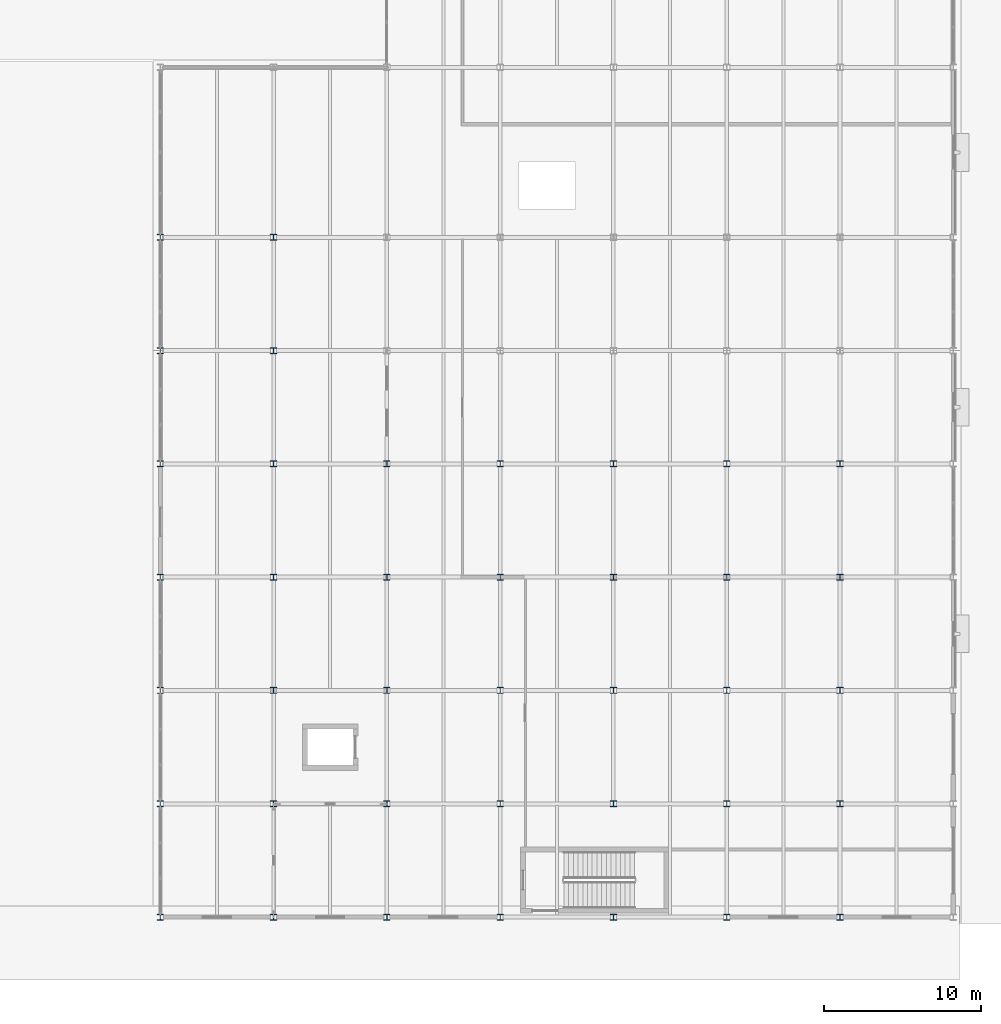
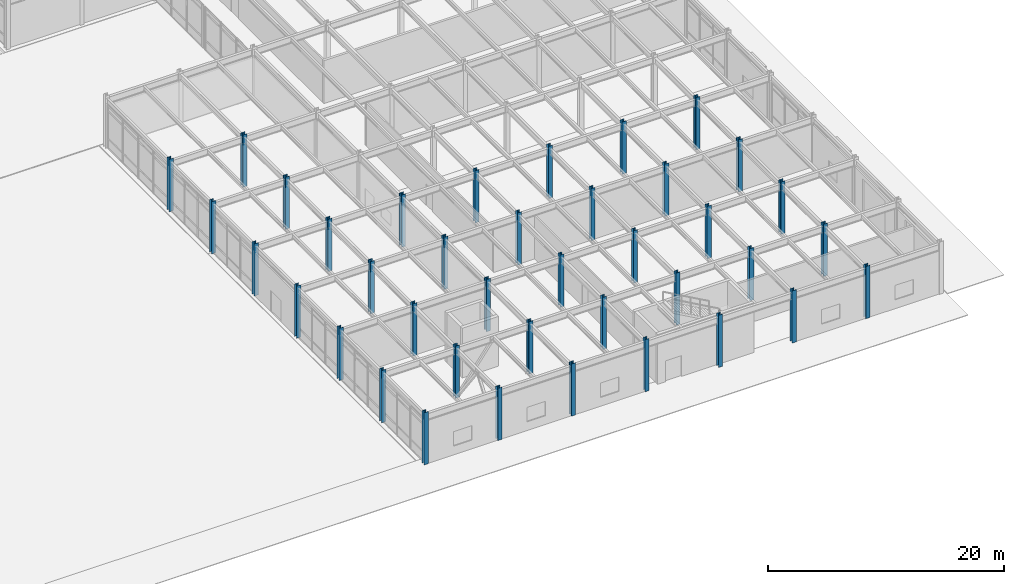
# One storey, part 12 of 104: 39 columns.
"""IFC4 building model written with IfcOpenShell, lengths in metres."""

from ifc_helpers import new_model, si_unit, direction, frame, origin, origin_2d, place, context, subcontext, project, spatial, i_section, extrude, material, material_profile, profile_set, type_object, element, save


model = new_model("IFC4")

# Units and contexts
model_context = context("Model", 3, precision=1e-05, world=origin(), true_north=direction((0.0, 1.0)))
body_context = subcontext(model_context, "Body", "Model", "MODEL_VIEW")
ifc_project = project(units=[si_unit("LENGTHUNIT", "METRE"), si_unit("AREAUNIT", "SQUARE_METRE"), si_unit("VOLUMEUNIT", "CUBIC_METRE"), si_unit("PLANEANGLEUNIT", "RADIAN"), si_unit("MASSUNIT", "GRAM", prefix="KILO")], contexts=[model_context])

# Site, building, storey
site_placement = place(None, origin())
site = spatial("IfcSite", under=ifc_project, at=site_placement, CompositionType="ELEMENT")
building_placement = place(site_placement, origin())
building = spatial("IfcBuilding", under=site, at=building_placement, Name="Vaelcorin Mobility Hub", CompositionType="ELEMENT")
storey_placement = place(building_placement, origin())
storey = spatial("IfcBuildingStorey", under=building, at=storey_placement, Name="L00", CompositionType="ELEMENT", Elevation=0.0)

# Columns
ifc_material = material(Name="Steel ASTM A992 Grade 50", Category="steel")
ifc_material_profile = material_profile(ifc_material, i_section(OverallWidth=0.39599609375, OverallDepth=0.381103515625, WebThickness=0.018798828125, FlangeThickness=0.0302734375, FilletRadius=0.014892578125, at=origin_2d()), Name="W14X159")
ifc_profile_set = profile_set([ifc_material_profile], Name="Steel ASTM A992 Grade 50")
column_type = type_object("IfcColumnType", Name="COL-W14X159", PredefinedType="COLUMN", material=ifc_profile_set)
for number, where, z_axis, x_axis, name in (
    (1, (153.60009765625, 6.0, 0.0), (0.0, 0.0, 1.0), (1.0, 0.0, 0.0), "Column V5-X01Y01 L00"),
    (2, (153.60009765625, 13.199951171875, 0.0), (0.0, 0.0, 1.0), (1.0, 0.0, 0.0), "Column V5-X01Y02 L00"),
    (3, (153.60009765625, 20.39990234375, 0.0), (0.0, 0.0, 1.0), (1.0, 0.0, 0.0), "Column V5-X01Y03 L00"),
    (4, (153.60009765625, 27.60009765625, 0.0), (0.0, 0.0, 1.0), (1.0, 0.0, 0.0), "Column V5-X01Y04 L00"),
    (5, (153.60009765625, 34.800048828125, 0.0), (0.0, 0.0, 1.0), (1.0, 0.0, 0.0), "Column V5-X01Y05 L00"),
    (6, (153.60009765625, 42.0, 0.0), (0.0, 0.0, 1.0), (1.0, 0.0, 0.0), "Column V5-X01Y06 L00"),
    (7, (153.60009765625, 49.199951171875, 0.0), (0.0, 0.0, 1.0), (1.0, 0.0, 0.0), "Column V5-X01Y07 L00"),
    (8, (160.800048828125, 6.0, 0.0), (0.0, 0.0, 1.0), (1.0, 0.0, 0.0), "Column V5-X02Y01 L00"),
    (9, (160.800048828125, 13.199951171875, 0.0), (0.0, 0.0, 1.0), (1.0, 0.0, 0.0), "Column V5-X02Y02 L00"),
    (10, (160.800048828125, 20.39990234375, 0.0), (0.0, 0.0, 1.0), (1.0, 0.0, 0.0), "Column V5-X02Y03 L00"),
    (11, (160.800048828125, 27.60009765625, 0.0), (0.0, 0.0, 1.0), (1.0, 0.0, 0.0), "Column V5-X02Y04 L00"),
    (12, (160.800048828125, 34.800048828125, 0.0), (0.0, 0.0, 1.0), (1.0, 0.0, 0.0), "Column V5-X02Y05 L00"),
    (13, (160.800048828125, 42.0, 0.0), (0.0, 0.0, 1.0), (1.0, 0.0, 0.0), "Column V5-X02Y06 L00"),
    (14, (160.800048828125, 49.199951171875, 0.0), (0.0, 0.0, 1.0), (1.0, 0.0, 0.0), "Column V5-X02Y07 L00"),
    (15, (168.0, 6.0, 0.0), (0.0, 0.0, 1.0), (1.0, 0.0, 0.0), "Column V5-X03Y01 L00"),
    (16, (168.0, 13.199951171875, 0.0), (0.0, 0.0, 1.0), (1.0, 0.0, 0.0), "Column V5-X03Y02 L00"),
    (17, (168.0, 20.39990234375, 0.0), (0.0, 0.0, 1.0), (1.0, 0.0, 0.0), "Column V5-X03Y03 L00"),
    (18, (168.0, 27.60009765625, 0.0), (0.0, 0.0, 1.0), (1.0, 0.0, 0.0), "Column V5-X03Y04 L00"),
    (19, (168.0, 34.800048828125, 0.0), (0.0, 0.0, 1.0), (1.0, 0.0, 0.0), "Column V5-X03Y05 L00"),
    (20, (175.199951171875, 6.0, 0.0), (0.0, 0.0, 1.0), (1.0, 0.0, 0.0), "Column V5-X04Y01 L00"),
    (21, (175.199951171875, 13.199951171875, 0.0), (0.0, 0.0, 1.0), (1.0, 0.0, 0.0), "Column V5-X04Y02 L00"),
    (22, (175.199951171875, 20.39990234375, 0.0), (0.0, 0.0, 1.0), (1.0, 0.0, 0.0), "Column V5-X04Y03 L00"),
    (23, (175.199951171875, 27.60009765625, 0.0), (0.0, 0.0, 1.0), (1.0, 0.0, 0.0), "Column V5-X04Y04 L00"),
    (24, (175.199951171875, 34.800048828125, 0.0), (0.0, 0.0, 1.0), (1.0, 0.0, 0.0), "Column V5-X04Y05 L00"),
    (25, (182.39990234375, 6.0, 0.0), (0.0, 0.0, 1.0), (1.0, 0.0, 0.0), "Column V5-X05Y01 L00"),
    (26, (182.39990234375, 13.199951171875, 0.0), (0.0, 0.0, 1.0), (1.0, 0.0, 0.0), "Column V5-X05Y02 L00"),
    (27, (182.39990234375, 20.39990234375, 0.0), (0.0, 0.0, 1.0), (1.0, 0.0, 0.0), "Column V5-X05Y03 L00"),
    (28, (182.39990234375, 27.60009765625, 0.0), (0.0, 0.0, 1.0), (1.0, 0.0, 0.0), "Column V5-X05Y04 L00"),
    (29, (182.39990234375, 34.800048828125, 0.0), (0.0, 0.0, 1.0), (1.0, 0.0, 0.0), "Column V5-X05Y05 L00"),
    (30, (189.60009765625, 6.0, 0.0), (0.0, 0.0, 1.0), (1.0, 0.0, 0.0), "Column V5-X06Y01 L00"),
    (31, (189.60009765625, 13.199951171875, 0.0), (0.0, 0.0, 1.0), (1.0, 0.0, 0.0), "Column V5-X06Y02 L00"),
    (32, (189.60009765625, 20.39990234375, 0.0), (0.0, 0.0, 1.0), (1.0, 0.0, 0.0), "Column V5-X06Y03 L00"),
    (33, (189.60009765625, 27.60009765625, 0.0), (0.0, 0.0, 1.0), (1.0, 0.0, 0.0), "Column V5-X06Y04 L00"),
    (34, (189.60009765625, 34.800048828125, 0.0), (0.0, 0.0, 1.0), (1.0, 0.0, 0.0), "Column V5-X06Y05 L00"),
    (35, (196.800048828125, 6.0, 0.0), (0.0, 0.0, 1.0), (1.0, 0.0, 0.0), "Column V5-X07Y01 L00"),
    (36, (196.800048828125, 13.199951171875, 0.0), (0.0, 0.0, 1.0), (1.0, 0.0, 0.0), "Column V5-X07Y02 L00"),
    (37, (196.800048828125, 20.39990234375, 0.0), (0.0, 0.0, 1.0), (1.0, 0.0, 0.0), "Column V5-X07Y03 L00"),
    (38, (196.800048828125, 27.60009765625, 0.0), (0.0, 0.0, 1.0), (1.0, 0.0, 0.0), "Column V5-X07Y04 L00"),
    (39, (196.800048828125, 34.800048828125, 0.0), (0.0, 0.0, 1.0), (1.0, 0.0, 0.0), "Column V5-X07Y05 L00"),
):
    element("IfcColumn", number, at=place(storey_placement, frame(where, z_axis=z_axis, x_axis=x_axis)), inside=storey, type_object=column_type, Name=name, PredefinedType="COLUMN", context=body_context, shape_type="SweptSolid", body=[
        extrude(i_section(OverallWidth=0.39599609375, OverallDepth=0.381103515625, WebThickness=0.018798828125, FlangeThickness=0.0302734375, FilletRadius=0.014892578125, at=origin_2d()), origin(), (0.0, 0.0, 1.0), 5.39990234375),
    ])

save(model, "model.ifc")
